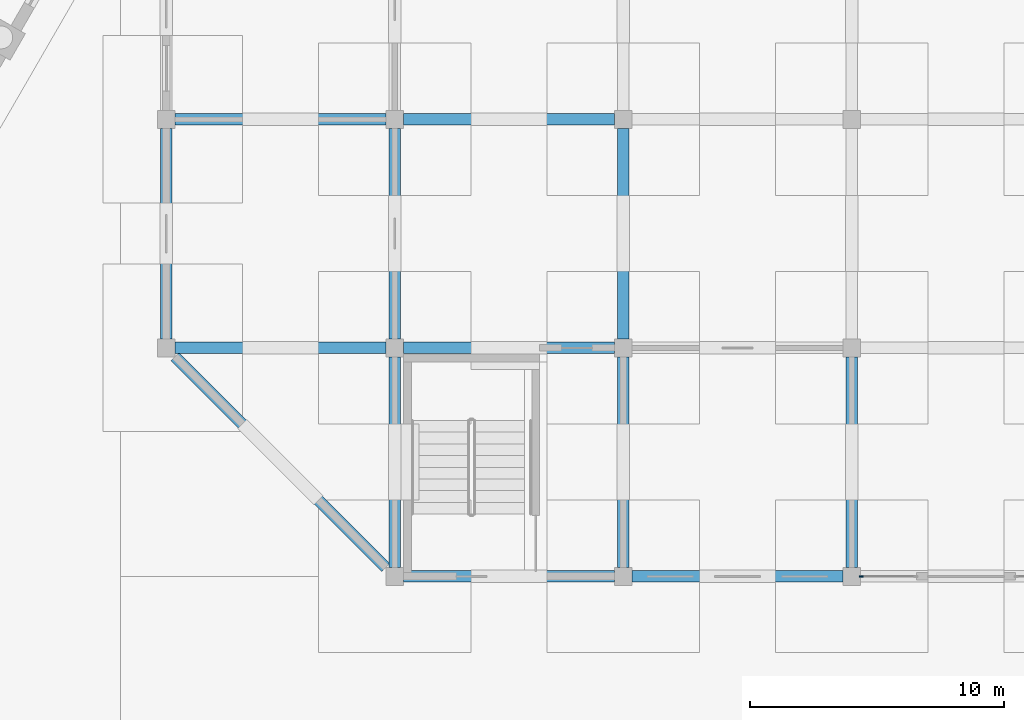
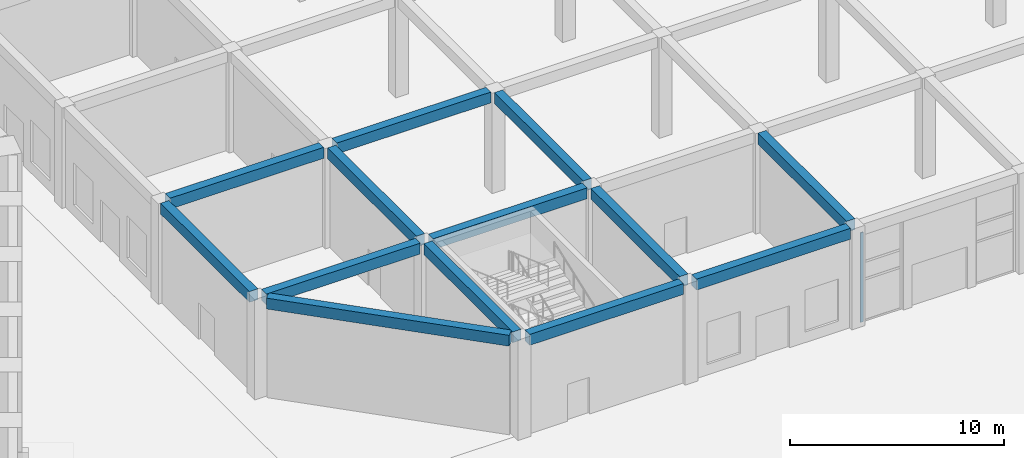
# One storey, part 7 of 44: 13 beams, 1 member, 1 element without a shape of its own.
"""IFC4 building model written with IfcOpenShell, lengths in metres."""

from ifc_helpers import new_model, si_unit, direction, frame, origin, origin_2d, place, context, subcontext, project, spatial, rectangle, extrude, material, layer, layer_set, material_profile, profile_set, type_object, element, aggregate, save


model = new_model("IFC4")

# Units and contexts
model_context = context("Model", 3, precision=1e-05, world=origin(), true_north=direction((0.0, 1.0)))
body_context = subcontext(model_context, "Body", "Model", "MODEL_VIEW")
ifc_project = project(units=[si_unit("LENGTHUNIT", "METRE"), si_unit("AREAUNIT", "SQUARE_METRE"), si_unit("VOLUMEUNIT", "CUBIC_METRE"), si_unit("PLANEANGLEUNIT", "RADIAN"), si_unit("MASSUNIT", "GRAM", prefix="KILO")], contexts=[model_context])

# Site, building, storey
site_placement = place(None, origin())
site = spatial("IfcSite", under=ifc_project, at=site_placement, CompositionType="ELEMENT")
building_placement = place(site_placement, origin())
building = spatial("IfcBuilding", under=site, at=building_placement, Name="Dhurran Vertical Campus", CompositionType="ELEMENT")
storey_placement = place(building_placement, origin())
storey = spatial("IfcBuildingStorey", under=building, at=storey_placement, Name="L00", CompositionType="ELEMENT", Elevation=0.0)

# Curtain wall, member
ifc_material_1 = material(Name="Aluminium", Category="aluminium")
ifc_layer = layer(ifc_material_1, 0.159912109375)
ifc_layer_set = layer_set([ifc_layer], Name="Aluminium")
curtain_wall_type = type_object("IfcCurtainWallType", Name="hl-curtain wall system", PredefinedType="NOTDEFINED", material=ifc_layer_set)
curtain_wall_placement = place(storey_placement, origin())
curtain_wall = element("IfcCurtainWall", 1, at=curtain_wall_placement, inside=storey, type_object=curtain_wall_type, Name="Hall curtain wall L00-01", PredefinedType="NOTDEFINED")
ifc_material_2 = material(Name="Aluminium", Category="aluminium")
ifc_material_profile_1 = material_profile(ifc_material_2, rectangle(XDim=0.06005859375, YDim=0.159912109375, at=origin_2d()), Name="hl-cw mullion 60x160")
ifc_profile_set_1 = profile_set([ifc_material_profile_1], Name="Aluminium")
member_type = type_object("IfcMemberType", Name="hl-cw mullion 60x160", PredefinedType="MULLION", material=ifc_profile_set_1)
member_placement = place(storey_placement, frame((88.8798828125, -27.0, 0.0), z_axis=(0.0, 0.0, 1.0), x_axis=(0.0, 1.0, 0.0)))
member = element("IfcMember", 2, at=member_placement, type_object=member_type, Name="HCW mullion 1", PredefinedType="MULLION", context=body_context, shape_type="SweptSolid", body=[
    extrude(rectangle(XDim=0.06005859375, YDim=0.159912109375, at=origin_2d()), origin(), (0.0, 0.0, 1.0), 5.10009765625),
])
aggregate(curtain_wall, [member])

# Beams
ifc_material_3 = material(Name="Concrete C40/50", Category="concrete")
ifc_material_profile_2 = material_profile(ifc_material_3, rectangle(XDim=0.449951171875, YDim=0.6201171875, at=origin_2d()), Name="hl-girder 450x620")
ifc_profile_set_2 = profile_set([ifc_material_profile_2], Name="Concrete C40/50")
beam_type = type_object("IfcBeamType", Name="hl-girder 450x620", PredefinedType="BEAM", material=ifc_profile_set_2)
beam_1_placement = place(storey_placement, frame((61.5, -17.64990234375, 5.409912109375), z_axis=(0.0, 1.0, 0.0), x_axis=(-1.0, 0.0, 0.0)))
element("IfcBeam", 3, at=beam_1_placement, inside=storey, type_object=beam_type, Name="Hall girder L00-001", PredefinedType="BEAM", context=body_context, shape_type="SweptSolid", body=[
    extrude(rectangle(XDim=0.449951171875, YDim=0.6201171875, at=origin_2d()), origin(), (0.0, 0.0, 1.0), 8.2998046875),
])
beam_2_placement = place(storey_placement, frame((61.85009765625, -18.35009765625, 5.409912109375), z_axis=(0.707106781187, -0.707106781187, 0.0), x_axis=(0.707106781187, 0.707106781187, 0.0)))
element("IfcBeam", 4, at=beam_2_placement, inside=storey, type_object=beam_type, Name="Hall girder L00-002", PredefinedType="BEAM", context=body_context, shape_type="SweptSolid", body=[
    extrude(rectangle(XDim=0.449951171875, YDim=0.6201171875, at=origin_2d()), origin(), (0.0, 0.0, 1.0), 11.73779296875),
])
for number, where, z_axis, x_axis, name in (
    (5, (61.85009765625, -18.0, 5.409912109375), (1.0, 0.0, 0.0), (0.0, 1.0, 0.0), "Hall girder L00-003"),
    (6, (61.85009765625, -9.0, 5.409912109375), (1.0, 0.0, 0.0), (0.0, 1.0, 0.0), "Hall girder L00-005"),
    (7, (70.5, -26.64990234375, 5.409912109375), (0.0, 1.0, 0.0), (-1.0, 0.0, 0.0), "Hall girder L00-011"),
    (8, (70.85009765625, -27.0, 5.409912109375), (1.0, 0.0, 0.0), (0.0, 1.0, 0.0), "Hall girder L00-012"),
    (9, (70.5, -17.64990234375, 5.409912109375), (0.0, 1.0, 0.0), (-1.0, 0.0, 0.0), "Hall girder L00-013"),
    (10, (70.85009765625, -18.0, 5.409912109375), (1.0, 0.0, 0.0), (0.0, 1.0, 0.0), "Hall girder L00-014"),
    (11, (70.85009765625, -9.0, 5.409912109375), (1.0, 0.0, 0.0), (0.0, 1.0, 0.0), "Hall girder L00-016"),
    (12, (79.5, -26.64990234375, 5.409912109375), (0.0, 1.0, 0.0), (-1.0, 0.0, 0.0), "Hall girder L00-025"),
    (13, (79.85009765625, -27.0, 5.409912109375), (1.0, 0.0, 0.0), (0.0, 1.0, 0.0), "Hall girder L00-026"),
    (14, (79.5, -17.64990234375, 5.409912109375), (0.0, 1.0, 0.0), (-1.0, 0.0, 0.0), "Hall girder L00-027"),
    (15, (88.5, -26.64990234375, 5.409912109375), (0.0, 1.0, 0.0), (-1.0, 0.0, 0.0), "Hall girder L00-038"),
):
    element("IfcBeam", number, at=place(storey_placement, frame(where, z_axis=z_axis, x_axis=x_axis)), inside=storey, type_object=beam_type, Name=name, PredefinedType="BEAM", context=body_context, shape_type="SweptSolid", body=[
        extrude(rectangle(XDim=0.449951171875, YDim=0.6201171875, at=origin_2d()), origin(), (0.0, 0.0, 1.0), 8.2998046875),
    ])

save(model, "model.ifc")
